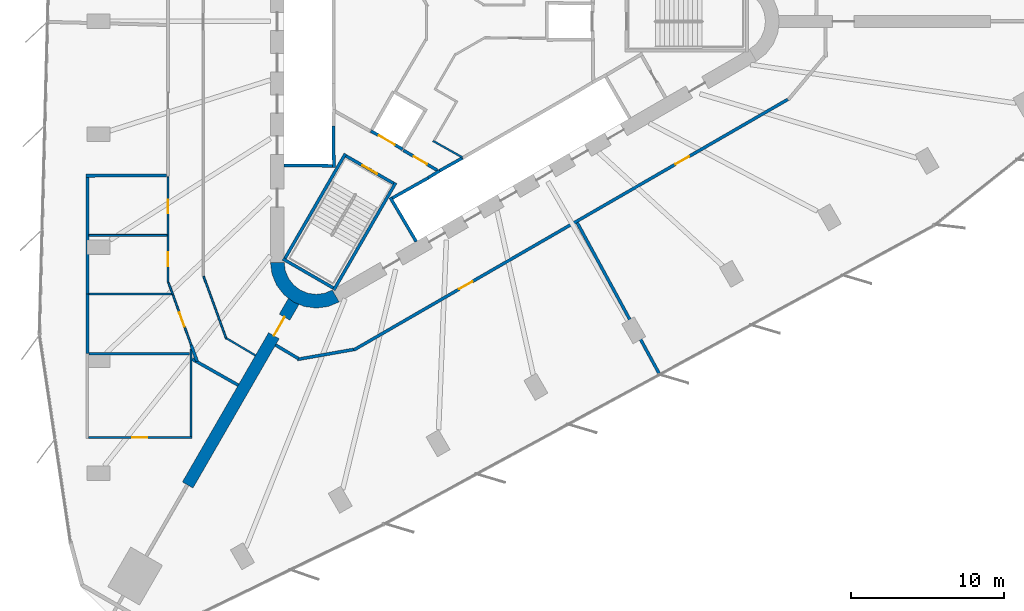
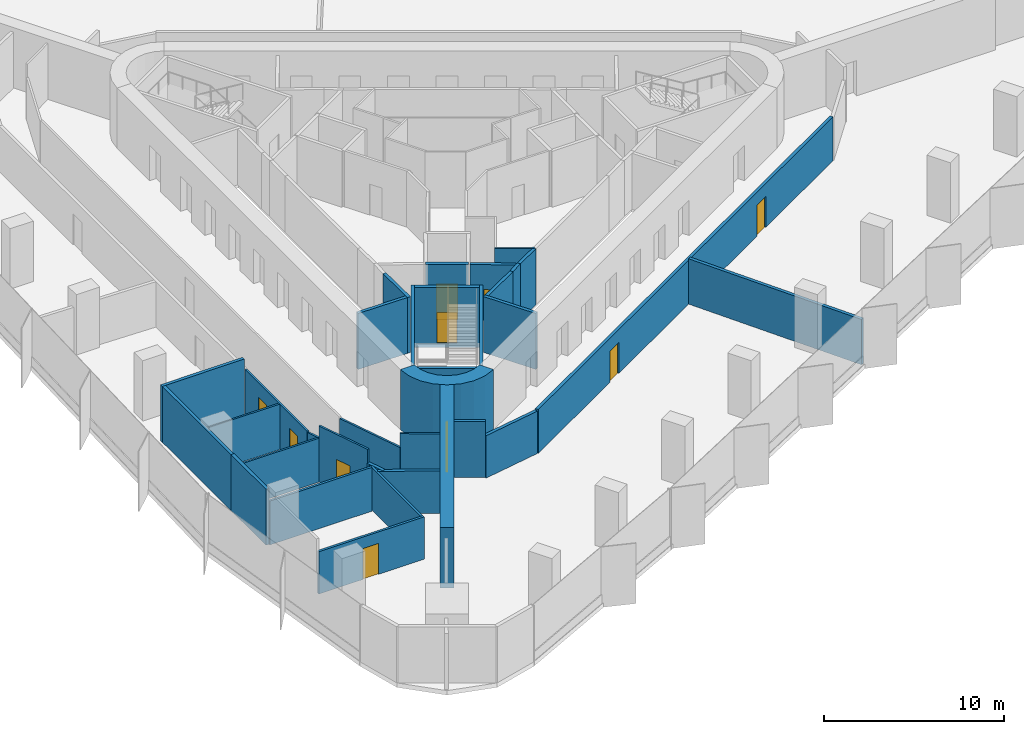
# One storey, part 8 of 13: 34 walls, 10 doors, 10 openings.
"""IFC4 building model written with IfcOpenShell, lengths in metres."""

from ifc_helpers import new_model, si_unit, direction, frame, frame_2d, origin, place, context, subcontext, project, spatial, polyline, rectangle, outline, extrude, material, layer, layer_set, type_object, element, fill, save


model = new_model("IFC4")

# Units and contexts
model_context = context("Model", 3, precision=1e-05, world=origin(), true_north=direction((0.0, 1.0)))
body_context = subcontext(model_context, "Body", "Model", "MODEL_VIEW")
ifc_project = project(units=[si_unit("LENGTHUNIT", "METRE"), si_unit("AREAUNIT", "SQUARE_METRE"), si_unit("VOLUMEUNIT", "CUBIC_METRE"), si_unit("PLANEANGLEUNIT", "RADIAN"), si_unit("MASSUNIT", "GRAM", prefix="KILO")], contexts=[model_context])

# Site, building, storey
site_placement = place(None, origin())
site = spatial("IfcSite", under=ifc_project, at=site_placement, CompositionType="ELEMENT")
building_placement = place(site_placement, origin())
building = spatial("IfcBuilding", under=site, at=building_placement, Name="Tanit Gate Tower", CompositionType="ELEMENT")
storey_placement = place(building_placement, frame((0.0, 0.0, 66.0)))
storey = spatial("IfcBuildingStorey", under=building, at=storey_placement, Name="L12", CompositionType="ELEMENT", Elevation=66.0)

# Wall, opening, door
ifc_material_1 = material(Name="Concrete C60/75", Category="concrete")
ifc_layer_1 = layer(ifc_material_1, 0.800048828125)
ifc_layer_set_1 = layer_set([ifc_layer_1], Name="BUTTRESS FIN 800 C60/75")
wall_type_1 = type_object("IfcWallType", Name="BUTTRESS FIN 800 C60/75", PredefinedType="SHEAR", material=ifc_layer_set_1)
wall_1_placement = place(storey_placement, frame((-10.574951171875, -18.31640625, 0.0), z_axis=(0.0, 0.0, 1.0), x_axis=(-0.500001010139, -0.866024820579, 0.0)))
wall_1 = element("IfcWall", 1, at=wall_1_placement, inside=storey, type_object=wall_type_1, Name="BUTTRESS FIN", PredefinedType="SHEAR", context=body_context, shape_type="SweptSolid", body=[
    extrude(rectangle(XDim=13.8837890625, YDim=0.800048828125, at=frame_2d((6.94189453125, 0.0))), origin(), (0.0, 0.0, 1.0), 4.10009765625),
])
opening_1_placement = place(wall_1_placement, frame((1.199951171875, 0.0, 0.0)))
opening_1 = element("IfcOpeningElement", 2, at=opening_1_placement, cuts=wall_1, Name="Opening P14-S01-F-SW-1", PredefinedType="OPENING", context=body_context, shape_type="SweptSolid", body=[
    extrude(rectangle(XDim=1.39990234375, YDim=2.39990234375, at=frame_2d((0.699951171875, 1.199951171875))), frame((0.0, 0.41015625, 0.0), z_axis=(0.0, -1.0, 0.0), x_axis=(1.0, 0.0, 0.0)), (0.0, 0.0, 1.0), 0.820068359375),
])
ifc_material_2 = material(Name="Timber door leaf", Category="wood")
door_type_1 = type_object("IfcDoorType", Name="INT-DOOR-FIN-PAIR-1400", OperationType="NOTDEFINED", PredefinedType="NOTDEFINED", material=ifc_material_2)
door_1_placement = place(opening_1_placement, origin())
door_1 = element("IfcDoor", 3, at=door_1_placement, inside=storey, type_object=door_type_1, Name="Door P14-S01-F-SW-1", OperationType="DOUBLE_DOOR_SINGLE_SWING", OverallHeight=2.39990234375, OverallWidth=1.39990234375, PredefinedType="NOTDEFINED", context=body_context, shape_type="SweptSolid", body=[
    extrude(rectangle(XDim=1.39990234375, YDim=2.39990234375, at=frame_2d((0.699951171875, 1.199951171875))), frame((0.0, 0.02490234375, 0.0), z_axis=(0.0, -1.0, 0.0), x_axis=(1.0, 0.0, 0.0)), (0.0, 0.0, 1.0), 0.050048828125),
])
fill(opening_1, door_1)

# Wall
ifc_material_3 = material(Name="Concrete C60/75", Category="concrete")
ifc_layer_2 = layer(ifc_material_3, 0.89990234375)
ifc_layer_set_2 = layer_set([ifc_layer_2], Name="CORE WALL 900 C60/75")
wall_type_2 = type_object("IfcWallType", Name="CORE WALL 900 C60/75", PredefinedType="SHEAR", material=ifc_layer_set_2)
wall_2_placement = place(storey_placement, origin())
element("IfcWall", 4, at=wall_2_placement, inside=storey, type_object=wall_type_2, Name="CORE WALL CORNER", PredefinedType="SHEAR", context=body_context, shape_type="SweptSolid", body=[
    extrude(outline(polyline([(-12.10009765625, -15.76171875), (-11.997802734375, -16.5380859375), (-11.697998046875, -17.26171875), (-11.22119140625, -17.883056640625), (-10.60009765625, -18.359619140625), (-9.87646484375, -18.659423828125), (-9.10009765625, -18.76171875), (-8.323486328125, -18.659423828125), (-7.60009765625, -18.359619140625), (-8.050048828125, -17.580322265625), (-8.556396484375, -17.7900390625), (-9.10009765625, -17.86181640625), (-9.6435546875, -17.7900390625), (-10.14990234375, -17.580322265625), (-10.5849609375, -17.24658203125), (-10.918701171875, -16.811767578125), (-11.12841796875, -16.30517578125), (-11.199951171875, -15.76171875), (-12.10009765625, -15.76171875)])), origin(), (0.0, 0.0, 1.0), 4.10009765625),
])

# Wall, opening, door
ifc_material_4 = material(Name="Fire-rated gypsum board partition")
ifc_layer_3 = layer(ifc_material_4, 0.199951171875)
ifc_layer_set_3 = layer_set([ifc_layer_3], Name="INT-WALL-COMPARTMENT")
wall_type_3 = type_object("IfcWallType", Name="INT-WALL-COMPARTMENT", PredefinedType="PARTITIONING", material=ifc_layer_set_3)
wall_3_placement = place(storey_placement, frame((-3.400634765625, -8.43017578125, 0.0), z_axis=(0.0, 0.0, 1.0), x_axis=(0.860598681535, -0.509283721849, 0.0)))
wall_3 = element("IfcWall", 5, at=wall_3_placement, inside=storey, type_object=wall_type_3, Name="Wall Compartment W064", PredefinedType="PARTITIONING", context=body_context, shape_type="SweptSolid", body=[
    extrude(rectangle(XDim=2.5810546875, YDim=0.199951171875, at=frame_2d((1.29052734375, 0.0))), origin(), (0.0, 0.0, 1.0), 3.800048828125),
])
opening_2_placement = place(wall_3_placement, frame((0.79052734375, 0.0, 0.0)))
opening_2 = element("IfcOpeningElement", 6, at=opening_2_placement, cuts=wall_3, Name="Opening F10-S01-08", PredefinedType="OPENING", context=body_context, shape_type="SweptSolid", body=[
    extrude(rectangle(XDim=1.0, YDim=2.10009765625, at=frame_2d((0.5, 1.050048828125))), frame((0.0, 0.10986328125, 0.0), z_axis=(0.0, -1.0, 0.0), x_axis=(1.0, 0.0, 0.0)), (0.0, 0.0, 1.0), 0.219970703125),
])
ifc_material_5 = material(Name="Fire-rated steel door leaf", Category="steel")
door_type_2 = type_object("IfcDoorType", Name="INT-DOOR-FIRE-1000", OperationType="NOTDEFINED", PredefinedType="USERDEFINED", material=ifc_material_5)
door_2_placement = place(opening_2_placement, origin())
door_2 = element("IfcDoor", 7, at=door_2_placement, inside=storey, type_object=door_type_2, Name="Door F10-S01-08", ObjectType="FIRE DOOR", OperationType="SINGLE_SWING_RIGHT", OverallHeight=2.10009765625, OverallWidth=1.0, PredefinedType="USERDEFINED", context=body_context, shape_type="SweptSolid", body=[
    extrude(rectangle(XDim=1.0, YDim=2.10009765625, at=frame_2d((0.5, 1.050048828125))), frame((0.0, 0.02490234375, 0.0), z_axis=(0.0, -1.0, 0.0), x_axis=(1.0, 0.0, 0.0)), (0.0, 0.0, 1.0), 0.050048828125),
])
fill(opening_2, door_2)

# Walls
wall_4_placement = place(storey_placement, frame((-17.22509765625, -22.09765625, 0.0), z_axis=(0.0, 0.0, 1.0), x_axis=(0.870318902943, -0.492488585838, 0.0)))
element("IfcWall", 8, at=wall_4_placement, inside=storey, type_object=wall_type_3, Name="Wall Compartment W092", PredefinedType="PARTITIONING", context=body_context, shape_type="SweptSolid", body=[
    extrude(rectangle(XDim=3.468505859375, YDim=0.199951171875, at=frame_2d((1.734375, 0.0))), origin(), (0.0, 0.0, 1.0), 2.8798828125),
])
wall_5_placement = place(storey_placement, frame((-17.28759765625, -21.177734375, 0.0), z_axis=(0.0, 0.0, 1.0), x_axis=(0.342070628624, -0.939674244104, 0.0)))
element("IfcWall", 9, at=wall_5_placement, inside=storey, type_object=wall_type_3, Name="Wall Compartment W093", PredefinedType="PARTITIONING", context=body_context, shape_type="SweptSolid", body=[
    extrude(rectangle(XDim=1.136962890625, YDim=0.199951171875, at=frame_2d((0.568359375, 0.0))), origin(), (0.0, 0.0, 1.0), 2.8798828125),
])

# Wall, openings, doors
wall_6_placement = place(storey_placement, frame((-6.64404296875, -21.5029296875, 0.0), z_axis=(0.0, 0.0, 1.0), x_axis=(0.866025615729, 0.499999632902, 0.0)))
wall_6 = element("IfcWall", 10, at=wall_6_placement, inside=storey, type_object=wall_type_3, Name="Wall Compartment W110", PredefinedType="PARTITIONING", context=body_context, shape_type="SweptSolid", body=[
    extrude(rectangle(XDim=32.810546875, YDim=0.199951171875, at=frame_2d((16.4052734375, 0.0))), origin(), (0.0, 0.0, 1.0), 2.97998046875),
])
opening_3_placement = place(wall_6_placement, frame((24.320068359375, 0.0, 0.0)))
opening_3 = element("IfcOpeningElement", 11, at=opening_3_placement, cuts=wall_6, Name="Opening F10-S01-24", PredefinedType="OPENING", context=body_context, shape_type="SweptSolid", body=[
    extrude(rectangle(XDim=1.0, YDim=2.10009765625, at=frame_2d((0.5, 1.050048828125))), frame((0.0, 0.10986328125, 0.0), z_axis=(0.0, -1.0, 0.0), x_axis=(1.0, 0.0, 0.0)), (0.0, 0.0, 1.0), 0.219970703125),
])
opening_4_placement = place(wall_6_placement, frame((7.96484375, 0.0, 0.0)))
opening_4 = element("IfcOpeningElement", 12, at=opening_4_placement, cuts=wall_6, Name="Opening F10-S01-25", PredefinedType="OPENING", context=body_context, shape_type="SweptSolid", body=[
    extrude(rectangle(XDim=1.0, YDim=2.10009765625, at=frame_2d((0.5, 1.050048828125))), frame((0.0, 0.10986328125, 0.0), z_axis=(0.0, -1.0, 0.0), x_axis=(1.0, 0.0, 0.0)), (0.0, 0.0, 1.0), 0.219970703125),
])
door_3_placement = place(opening_3_placement, origin())
door_3 = element("IfcDoor", 13, at=door_3_placement, inside=storey, type_object=door_type_2, Name="Door F10-S01-24", ObjectType="FIRE DOOR", OperationType="SINGLE_SWING_RIGHT", OverallHeight=2.10009765625, OverallWidth=1.0, PredefinedType="USERDEFINED", context=body_context, shape_type="SweptSolid", body=[
    extrude(rectangle(XDim=1.0, YDim=2.10009765625, at=frame_2d((0.5, 1.050048828125))), frame((0.0, 0.02490234375, 0.0), z_axis=(0.0, -1.0, 0.0), x_axis=(1.0, 0.0, 0.0)), (0.0, 0.0, 1.0), 0.050048828125),
])
fill(opening_3, door_3)
door_4_placement = place(opening_4_placement, origin())
door_4 = element("IfcDoor", 14, at=door_4_placement, inside=storey, type_object=door_type_2, Name="Door F10-S01-25", ObjectType="FIRE DOOR", OperationType="SINGLE_SWING_RIGHT", OverallHeight=2.10009765625, OverallWidth=1.0, PredefinedType="USERDEFINED", context=body_context, shape_type="SweptSolid", body=[
    extrude(rectangle(XDim=1.0, YDim=2.10009765625, at=frame_2d((0.5, 1.050048828125))), frame((0.0, 0.02490234375, 0.0), z_axis=(0.0, -1.0, 0.0), x_axis=(1.0, 0.0, 0.0)), (0.0, 0.0, 1.0), 0.050048828125),
])
fill(opening_4, door_4)

# Walls
wall_7_placement = place(storey_placement, frame((-10.33154296875, -22.118408203125, 0.0), z_axis=(0.0, 0.0, 1.0), x_axis=(0.984805281118, 0.173662195893, 0.0)))
element("IfcWall", 15, at=wall_7_placement, inside=storey, type_object=wall_type_3, Name="Wall Compartment W111", PredefinedType="PARTITIONING", context=body_context, shape_type="SweptSolid", body=[
    extrude(rectangle(XDim=3.732421875, YDim=0.199951171875, at=frame_2d((1.8662109375, 0.0))), origin(), (0.0, 0.0, 1.0), 2.8798828125),
])
wall_8_placement = place(storey_placement, frame((-11.764404296875, -21.176513671875, 0.0), z_axis=(0.0, 0.0, 1.0), x_axis=(0.85911197479, -0.511787665709, 0.0)))
element("IfcWall", 16, at=wall_8_placement, inside=storey, type_object=wall_type_3, Name="Wall Compartment W112", PredefinedType="PARTITIONING", context=body_context, shape_type="SweptSolid", body=[
    extrude(rectangle(XDim=1.751708984375, YDim=0.199951171875, at=frame_2d((0.8759765625, 0.0))), origin(), (0.0, 0.0, 1.0), 3.800048828125),
])
wall_9_placement = place(storey_placement, frame((-18.89990234375, -10.070556640625, 0.0), z_axis=(0.0, 0.0, 1.0), x_axis=(-0.999983827501, -0.005687243297, 0.0)))
element("IfcWall", 17, at=wall_9_placement, inside=storey, type_object=wall_type_3, Name="Wall Compartment W116", PredefinedType="PARTITIONING", context=body_context, shape_type="SweptSolid", body=[
    extrude(rectangle(XDim=5.280029296875, YDim=0.199951171875, at=frame_2d((2.64013671875, 0.0))), origin(), (0.0, 0.0, 1.0), 3.800048828125),
])
wall_10_placement = place(storey_placement, frame((-24.080078125, -21.733154296875, 0.0), z_axis=(0.0, 0.0, 1.0), x_axis=(0.0, 1.0, 0.0)))
element("IfcWall", 18, at=wall_10_placement, inside=storey, type_object=wall_type_3, Name="Wall Compartment W119", PredefinedType="PARTITIONING", context=body_context, shape_type="SweptSolid", body=[
    extrude(rectangle(XDim=3.896484375, YDim=0.199951171875, at=frame_2d((1.9482421875, 0.0))), origin(), (0.0, 0.0, 1.0), 3.800048828125),
])
wall_11_placement = place(storey_placement, frame((-24.080078125, -17.836669921875, 0.0), z_axis=(0.0, 0.0, 1.0), x_axis=(0.0, 1.0, 0.0)))
element("IfcWall", 19, at=wall_11_placement, inside=storey, type_object=wall_type_3, Name="Wall Compartment W118", PredefinedType="PARTITIONING", context=body_context, shape_type="SweptSolid", body=[
    extrude(rectangle(XDim=7.63671875, YDim=0.199951171875, at=frame_2d((3.818359375, 0.0))), origin(), (0.0, 0.0, 1.0), 3.800048828125),
])
wall_12_placement = place(storey_placement, frame((7.978759765625, -13.17578125, 0.0), z_axis=(0.0, 0.0, 1.0), x_axis=(0.477371038841, -0.878701821596, 0.0)))
element("IfcWall", 20, at=wall_12_placement, inside=storey, type_object=wall_type_3, Name="Wall Compartment W129", PredefinedType="PARTITIONING", context=body_context, shape_type="SweptSolid", body=[
    extrude(rectangle(XDim=11.288818359375, YDim=0.199951171875, at=frame_2d((5.64453125, 0.0))), origin(), (0.0, 0.0, 1.0), 3.080078125),
])
ifc_material_6 = material(Name="Gypsum board partition")
ifc_layer_4 = layer(ifc_material_6, 0.1201171875)
ifc_layer_set_4 = layer_set([ifc_layer_4], Name="INT-WALL-PARTITION")
wall_type_4 = type_object("IfcWallType", Name="INT-WALL-PARTITION", PredefinedType="PARTITIONING", material=ifc_layer_set_4)
wall_13_placement = place(storey_placement, frame((-1.464111328125, -7.81591796875, 0.0), z_axis=(0.0, 0.0, 1.0), x_axis=(0.871880202732, -0.489719217597, 0.0)))
element("IfcWall", 21, at=wall_13_placement, inside=storey, type_object=wall_type_4, Name="Wall Partition W068", PredefinedType="PARTITIONING", context=body_context, shape_type="SweptSolid", body=[
    extrude(rectangle(XDim=2.224365234375, YDim=0.1201171875, at=frame_2d((1.1123046875, 0.0))), origin(), (0.0, 0.0, 1.0), 3.800048828125),
])
wall_14_placement = place(storey_placement, frame((-16.4794921875, -16.67333984375, 0.0), z_axis=(0.0, 0.0, 1.0), x_axis=(0.342025144217, -0.939690800595, 0.0)))
element("IfcWall", 22, at=wall_14_placement, inside=storey, type_object=wall_type_4, Name="Wall Partition W089", PredefinedType="PARTITIONING", context=body_context, shape_type="SweptSolid", body=[
    extrude(rectangle(XDim=4.377685546875, YDim=0.1201171875, at=frame_2d((2.18896484375, 0.0))), origin(), (0.0, 0.0, 1.0), 2.8798828125),
])
wall_15_placement = place(storey_placement, frame((-14.9833984375, -20.732421875, 0.0), z_axis=(0.0, 0.0, 1.0), x_axis=(0.860268204019, -0.509841756973, 0.0)))
element("IfcWall", 23, at=wall_15_placement, inside=storey, type_object=wall_type_4, Name="Wall Partition W090", PredefinedType="PARTITIONING", context=body_context, shape_type="SweptSolid", body=[
    extrude(rectangle(XDim=2.2099609375, YDim=0.1201171875, at=frame_2d((1.10498046875, 0.0))), origin(), (0.0, 0.0, 1.0), 3.800048828125),
])

# Wall, openings, doors
wall_16_placement = place(storey_placement, frame((-18.800048828125, -10.169921875, 0.0), z_axis=(0.0, 0.0, 1.0), x_axis=(0.0, -1.0, 0.0)))
wall_16 = element("IfcWall", 24, at=wall_16_placement, inside=storey, type_object=wall_type_4, Name="Wall Partition W097", PredefinedType="PARTITIONING", context=body_context, shape_type="SweptSolid", body=[
    extrude(rectangle(XDim=6.91259765625, YDim=0.1201171875, at=frame_2d((3.456298828125, 0.0))), origin(), (0.0, 0.0, 1.0), 3.080078125),
])
opening_5_placement = place(wall_16_placement, frame((1.495849609375, 0.0, 0.0)))
opening_5 = element("IfcOpeningElement", 25, at=opening_5_placement, cuts=wall_16, Name="Opening D09-S01-16", PredefinedType="OPENING", context=body_context, shape_type="SweptSolid", body=[
    extrude(rectangle(XDim=0.89990234375, YDim=2.10009765625, at=frame_2d((0.449951171875, 1.050048828125))), frame((0.0, 0.070068359375, 0.0), z_axis=(0.0, -1.0, 0.0), x_axis=(1.0, 0.0, 0.0)), (0.0, 0.0, 1.0), 0.14013671875),
])
opening_6_placement = place(wall_16_placement, frame((4.9521484375, 0.0, 0.0)))
opening_6 = element("IfcOpeningElement", 26, at=opening_6_placement, cuts=wall_16, Name="Opening D09-S01-17", PredefinedType="OPENING", context=body_context, shape_type="SweptSolid", body=[
    extrude(rectangle(XDim=0.89990234375, YDim=2.10009765625, at=frame_2d((0.449951171875, 1.050048828125))), frame((0.0, 0.070068359375, 0.0), z_axis=(0.0, -1.0, 0.0), x_axis=(1.0, 0.0, 0.0)), (0.0, 0.0, 1.0), 0.14013671875),
])
ifc_material_7 = material(Name="Timber door leaf", Category="wood")
door_type_3 = type_object("IfcDoorType", Name="INT-DOOR-SINGLE-900", OperationType="NOTDEFINED", PredefinedType="NOTDEFINED", material=ifc_material_7)
door_5_placement = place(opening_5_placement, origin())
door_5 = element("IfcDoor", 27, at=door_5_placement, inside=storey, type_object=door_type_3, Name="Door D09-S01-16", OperationType="SINGLE_SWING_LEFT", OverallHeight=2.10009765625, OverallWidth=0.89990234375, PredefinedType="NOTDEFINED", context=body_context, shape_type="SweptSolid", body=[
    extrude(rectangle(XDim=0.89990234375, YDim=2.10009765625, at=frame_2d((0.449951171875, 1.050048828125))), frame((0.0, 0.02490234375, 0.0), z_axis=(0.0, -1.0, 0.0), x_axis=(1.0, 0.0, 0.0)), (0.0, 0.0, 1.0), 0.050048828125),
])
fill(opening_5, door_5)
door_6_placement = place(opening_6_placement, origin())
door_6 = element("IfcDoor", 28, at=door_6_placement, inside=storey, type_object=door_type_3, Name="Door D09-S01-17", OperationType="SINGLE_SWING_LEFT", OverallHeight=2.10009765625, OverallWidth=0.89990234375, PredefinedType="NOTDEFINED", context=body_context, shape_type="SweptSolid", body=[
    extrude(rectangle(XDim=0.89990234375, YDim=2.10009765625, at=frame_2d((0.449951171875, 1.050048828125))), frame((0.0, 0.02490234375, 0.0), z_axis=(0.0, -1.0, 0.0), x_axis=(1.0, 0.0, 0.0)), (0.0, 0.0, 1.0), 0.050048828125),
])
fill(opening_6, door_6)

# Wall
wall_17_placement = place(storey_placement, frame((-18.779541015625, -17.078857421875, 0.0), z_axis=(0.0, 0.0, 1.0), x_axis=(0.342127231308, -0.939653637037, 0.0)))
element("IfcWall", 29, at=wall_17_placement, inside=storey, type_object=wall_type_4, Name="Wall Partition W098", PredefinedType="PARTITIONING", context=body_context, shape_type="SweptSolid", body=[
    extrude(rectangle(XDim=0.81640625, YDim=0.1201171875, at=frame_2d((0.408203125, 0.0))), origin(), (0.0, 0.0, 1.0), 2.97998046875),
])

# Wall, opening, door
wall_18_placement = place(storey_placement, frame((-18.500244140625, -17.845947265625, 0.0), z_axis=(0.0, 0.0, 1.0), x_axis=(0.342013954414, -0.939694873342, 0.0)))
wall_18 = element("IfcWall", 30, at=wall_18_placement, inside=storey, type_object=wall_type_4, Name="Wall Partition W100", PredefinedType="PARTITIONING", context=body_context, shape_type="SweptSolid", body=[
    extrude(rectangle(XDim=3.545654296875, YDim=0.1201171875, at=frame_2d((1.77294921875, 0.0))), origin(), (0.0, 0.0, 1.0), 3.800048828125),
])
opening_7_placement = place(wall_18_placement, frame((1.272705078125, 0.0, 0.0)))
opening_7 = element("IfcOpeningElement", 31, at=opening_7_placement, cuts=wall_18, Name="Opening D10-S01-18", PredefinedType="OPENING", context=body_context, shape_type="SweptSolid", body=[
    extrude(rectangle(XDim=1.0, YDim=2.10009765625, at=frame_2d((0.5, 1.050048828125))), frame((0.0, 0.070068359375, 0.0), z_axis=(0.0, -1.0, 0.0), x_axis=(1.0, 0.0, 0.0)), (0.0, 0.0, 1.0), 0.14013671875),
])
ifc_material_8 = material(Name="Timber door leaf", Category="wood")
door_type_4 = type_object("IfcDoorType", Name="INT-DOOR-SINGLE-1000", OperationType="NOTDEFINED", PredefinedType="NOTDEFINED", material=ifc_material_8)
door_7_placement = place(opening_7_placement, origin())
door_7 = element("IfcDoor", 32, at=door_7_placement, inside=storey, type_object=door_type_4, Name="Door D10-S01-18", OperationType="SINGLE_SWING_RIGHT", OverallHeight=2.10009765625, OverallWidth=1.0, PredefinedType="NOTDEFINED", context=body_context, shape_type="SweptSolid", body=[
    extrude(rectangle(XDim=1.0, YDim=2.10009765625, at=frame_2d((0.5, 1.050048828125))), frame((0.0, 0.02490234375, 0.0), z_axis=(0.0, -1.0, 0.0), x_axis=(1.0, 0.0, 0.0)), (0.0, 0.0, 1.0), 0.050048828125),
])
fill(opening_7, door_7)

# Walls
wall_19_placement = place(storey_placement, frame((-23.97998046875, -14.001953125, 0.0), z_axis=(0.0, 0.0, 1.0), x_axis=(1.0, 0.0, 0.0)))
element("IfcWall", 33, at=wall_19_placement, inside=storey, type_object=wall_type_4, Name="Wall Partition W130", PredefinedType="PARTITIONING", context=body_context, shape_type="SweptSolid", body=[
    extrude(rectangle(XDim=5.119873046875, YDim=0.1201171875, at=frame_2d((2.56005859375, 0.0))), origin(), (0.0, 0.0, 1.0), 3.080078125),
])
wall_20_placement = place(storey_placement, frame((-18.5673828125, -17.836669921875, 0.0), z_axis=(0.0, 0.0, 1.0), x_axis=(-1.0, 0.0, 0.0)))
element("IfcWall", 34, at=wall_20_placement, inside=storey, type_object=wall_type_4, Name="Wall Partition W131", PredefinedType="PARTITIONING", context=body_context, shape_type="SweptSolid", body=[
    extrude(rectangle(XDim=5.41259765625, YDim=0.1201171875, at=frame_2d((2.706298828125, 0.0))), origin(), (0.0, 0.0, 1.0), 2.97998046875),
])

# Wall, opening, door
ifc_material_9 = material(Name="Fire-rated gypsum board partition")
ifc_layer_5 = layer(ifc_material_9, 0.14990234375)
ifc_layer_set_5 = layer_set([ifc_layer_5], Name="INT-WALL-RISER")
wall_type_5 = type_object("IfcWallType", Name="INT-WALL-RISER", PredefinedType="PLUMBINGWALL", material=ifc_layer_set_5)
wall_21_placement = place(storey_placement, frame((-24.0048828125, -27.22998046875, 0.0), z_axis=(0.0, 0.0, 1.0), x_axis=(1.0, 0.0, 0.0)))
wall_21 = element("IfcWall", 35, at=wall_21_placement, inside=storey, type_object=wall_type_5, Name="Wall Riser W122", PredefinedType="PLUMBINGWALL", context=body_context, shape_type="SweptSolid", body=[
    extrude(rectangle(XDim=6.77978515625, YDim=0.14990234375, at=frame_2d((3.389892578125, 0.0))), origin(), (0.0, 0.0, 1.0), 2.8798828125),
])
opening_8_placement = place(wall_21_placement, frame((2.8525390625, 0.0, 0.0)))
opening_8 = element("IfcOpeningElement", 36, at=opening_8_placement, cuts=wall_21, Name="Opening F10-S01-19", PredefinedType="OPENING", context=body_context, shape_type="SweptSolid", body=[
    extrude(rectangle(XDim=1.0, YDim=2.10009765625, at=frame_2d((0.5, 1.050048828125))), frame((0.0, 0.0849609375, 0.0), z_axis=(0.0, -1.0, 0.0), x_axis=(1.0, 0.0, 0.0)), (0.0, 0.0, 1.0), 0.169921875),
])
door_8_placement = place(opening_8_placement, origin())
door_8 = element("IfcDoor", 37, at=door_8_placement, inside=storey, type_object=door_type_2, Name="Door F10-S01-19", ObjectType="FIRE DOOR", OperationType="SINGLE_SWING_LEFT", OverallHeight=2.10009765625, OverallWidth=1.0, PredefinedType="USERDEFINED", context=body_context, shape_type="SweptSolid", body=[
    extrude(rectangle(XDim=1.0, YDim=2.10009765625, at=frame_2d((0.5, 1.050048828125))), frame((0.0, 0.02490234375, 0.0), z_axis=(0.0, -1.0, 0.0), x_axis=(1.0, 0.0, 0.0)), (0.0, 0.0, 1.0), 0.050048828125),
])
fill(opening_8, door_8)

# Walls
wall_22_placement = place(storey_placement, frame((-17.300048828125, -27.155029296875, 0.0), z_axis=(0.0, 0.0, 1.0), x_axis=(0.0, 1.0, 0.0)))
element("IfcWall", 38, at=wall_22_placement, inside=storey, type_object=wall_type_5, Name="Wall Riser W123", PredefinedType="PLUMBINGWALL", context=body_context, shape_type="SweptSolid", body=[
    extrude(rectangle(XDim=5.718994140625, YDim=0.14990234375, at=frame_2d((2.859375, 0.0))), origin(), (0.0, 0.0, 1.0), 2.8798828125),
])
wall_23_placement = place(storey_placement, frame((-17.39990234375, -21.74072265625, 0.0), z_axis=(0.0, 0.0, 1.0), x_axis=(-1.0, 0.0, 0.0)))
element("IfcWall", 39, at=wall_23_placement, inside=storey, type_object=wall_type_5, Name="Wall Riser W132", PredefinedType="PLUMBINGWALL", context=body_context, shape_type="SweptSolid", body=[
    extrude(rectangle(XDim=6.580078125, YDim=0.14990234375, at=frame_2d((3.2900390625, 0.0))), origin(), (0.0, 0.0, 1.0), 2.97998046875),
])
ifc_material_10 = material(Name="Gypsum shaft wall system")
ifc_layer_6 = layer(ifc_material_10, 0.199951171875)
ifc_layer_set_6 = layer_set([ifc_layer_6], Name="INT-WALL-SHAFT")
wall_type_6 = type_object("IfcWallType", Name="INT-WALL-SHAFT", PredefinedType="PLUMBINGWALL", material=ifc_layer_set_6)
wall_24_placement = place(storey_placement, frame((-7.97900390625, -6.85009765625, 0.0), z_axis=(0.0, 0.0, 1.0), x_axis=(0.011121475088, -0.999938154483, 0.0)))
element("IfcWall", 40, at=wall_24_placement, inside=storey, type_object=wall_type_6, Name="Wall Shaft W011", PredefinedType="PLUMBINGWALL", context=body_context, shape_type="SweptSolid", body=[
    extrude(rectangle(XDim=2.7001953125, YDim=0.199951171875, at=frame_2d((1.35009765625, 0.0))), origin(), (0.0, 0.0, 1.0), 3.800048828125),
])
wall_25_placement = place(storey_placement, frame((-8.050048828125, -9.448974609375, 0.0), z_axis=(0.0, 0.0, 1.0), x_axis=(-0.999957467379, 0.009222983926, 0.0)))
element("IfcWall", 41, at=wall_25_placement, inside=storey, type_object=wall_type_6, Name="Wall Shaft W012", PredefinedType="PLUMBINGWALL", context=body_context, shape_type="SweptSolid", body=[
    extrude(rectangle(XDim=3.150146484375, YDim=0.199951171875, at=frame_2d((1.5751953125, 0.0))), origin(), (0.0, 0.0, 1.0), 3.800048828125),
])
wall_26_placement = place(storey_placement, frame((-2.557861328125, -14.409423828125, 0.0), z_axis=(0.0, 0.0, 1.0), x_axis=(-0.507997497166, 0.861358544901, 0.0)))
element("IfcWall", 42, at=wall_26_placement, inside=storey, type_object=wall_type_6, Name="Wall Shaft W027", PredefinedType="PLUMBINGWALL", context=body_context, shape_type="SweptSolid", body=[
    extrude(rectangle(XDim=3.350341796875, YDim=0.199951171875, at=frame_2d((1.67529296875, 0.0))), origin(), (0.0, 0.0, 1.0), 3.800048828125),
])
wall_27_placement = place(storey_placement, frame((-1.7685546875, -10.23681640625, 0.0), z_axis=(0.0, 0.0, 1.0), x_axis=(-0.871534483978, -0.490334215854, 0.0)))
element("IfcWall", 43, at=wall_27_placement, inside=storey, type_object=wall_type_6, Name="Wall Shaft W028", PredefinedType="PLUMBINGWALL", context=body_context, shape_type="SweptSolid", body=[
    extrude(rectangle(XDim=2.7001953125, YDim=0.199951171875, at=frame_2d((1.35009765625, 0.0))), origin(), (0.0, 0.0, 1.0), 3.800048828125),
])
wall_28_placement = place(storey_placement, frame((-1.02392578125, -9.77099609375, 0.0), z_axis=(0.0, 0.0, 1.0), x_axis=(-0.850348075135, -0.526220629693, 0.0)))
element("IfcWall", 44, at=wall_28_placement, inside=storey, type_object=wall_type_6, Name="Wall Shaft W029", PredefinedType="PLUMBINGWALL", context=body_context, shape_type="SweptSolid", body=[
    extrude(rectangle(XDim=0.878173828125, YDim=0.199951171875, at=frame_2d((0.43896484375, 0.0))), origin(), (0.0, 0.0, 1.0), 3.800048828125),
])
wall_29_placement = place(storey_placement, frame((-1.13037109375, -9.83154296875, 0.0), z_axis=(0.0, 0.0, 1.0), x_axis=(0.871988740738, 0.489525929882, 0.0)))
element("IfcWall", 45, at=wall_29_placement, inside=storey, type_object=wall_type_6, Name="Wall Shaft W030", PredefinedType="PLUMBINGWALL", context=body_context, shape_type="SweptSolid", body=[
    extrude(rectangle(XDim=1.8447265625, YDim=0.199951171875, at=frame_2d((0.92236328125, 0.0))), origin(), (0.0, 0.0, 1.0), 3.800048828125),
])

# Wall, opening, door
wall_30_placement = place(storey_placement, frame((-3.44580078125, -8.3681640625, 0.0), z_axis=(0.0, 0.0, 1.0), x_axis=(-0.866024647952, 0.500001309137, 0.0)))
wall_30 = element("IfcWall", 46, at=wall_30_placement, inside=storey, type_object=wall_type_6, Name="Wall Shaft W053", PredefinedType="PLUMBINGWALL", context=body_context, shape_type="SweptSolid", body=[
    extrude(rectangle(XDim=2.39990234375, YDim=0.199951171875, at=frame_2d((1.199951171875, 0.0))), origin(), (0.0, 0.0, 1.0), 3.800048828125),
])
opening_9_placement = place(wall_30_placement, frame((0.60009765625, 0.0, 0.0)))
opening_9 = element("IfcOpeningElement", 47, at=opening_9_placement, cuts=wall_30, Name="Opening LDFL3-L12", PredefinedType="OPENING", context=body_context, shape_type="SweptSolid", body=[
    extrude(rectangle(XDim=1.199951171875, YDim=2.39990234375, at=frame_2d((0.60009765625, 1.199951171875))), frame((0.0, 0.10986328125, 0.0), z_axis=(0.0, -1.0, 0.0), x_axis=(1.0, 0.0, 0.0)), (0.0, 0.0, 1.0), 0.219970703125),
])
ifc_material_11 = material(Name="Stainless steel sliding door leaf", Category="steel")
door_type_5 = type_object("IfcDoorType", Name="INT-DOOR-LANDING-1200", OperationType="NOTDEFINED", PredefinedType="USERDEFINED", material=ifc_material_11)
door_9_placement = place(opening_9_placement, origin())
door_9 = element("IfcDoor", 48, at=door_9_placement, inside=storey, type_object=door_type_5, Name="Door LDFL3-L12", ObjectType="LANDING DOOR", OperationType="SLIDING_TO_LEFT", OverallHeight=2.39990234375, OverallWidth=1.199951171875, PredefinedType="USERDEFINED", context=body_context, shape_type="SweptSolid", body=[
    extrude(rectangle(XDim=1.199951171875, YDim=2.39990234375, at=frame_2d((0.60009765625, 1.199951171875))), frame((0.0, 0.02490234375, 0.0), z_axis=(0.0, -1.0, 0.0), x_axis=(1.0, 0.0, 0.0)), (0.0, 0.0, 1.0), 0.050048828125),
])
fill(opening_9, door_9)

# Walls
ifc_material_12 = material(Name="Concrete C40/50", Category="concrete")
ifc_layer_7 = layer(ifc_material_12, 0.199951171875)
ifc_layer_set_7 = layer_set([ifc_layer_7], Name="INT-WALL-STAIR")
wall_type_7 = type_object("IfcWallType", Name="INT-WALL-STAIR", PredefinedType="SHEAR", material=ifc_layer_set_7)
wall_31_placement = place(storey_placement, frame((-3.904541015625, -10.56298828125, -0.300048828125), z_axis=(0.0, 0.0, 1.0), x_axis=(-0.500012932018, -0.866017937352, 0.0)))
element("IfcWall", 49, at=wall_31_placement, inside=storey, type_object=wall_type_7, Name="Wall Stair W049", PredefinedType="SHEAR", context=body_context, shape_type="SweptSolid", body=[
    extrude(rectangle(XDim=8.099853515625, YDim=0.199951171875, at=frame_2d((4.0498046875, 0.0))), origin(), (0.0, 0.0, 1.0), 4.10009765625),
])
wall_32_placement = place(storey_placement, frame((-11.281982421875, -15.541015625, -0.300048828125), z_axis=(0.0, 0.0, 1.0), x_axis=(0.866000483506, -0.500043160704, 0.0)))
element("IfcWall", 50, at=wall_32_placement, inside=storey, type_object=wall_type_7, Name="Wall Stair W050", PredefinedType="SHEAR", context=body_context, shape_type="SweptSolid", body=[
    extrude(rectangle(XDim=3.800048828125, YDim=0.199951171875, at=frame_2d((1.89990234375, 0.0))), origin(), (0.0, 0.0, 1.0), 4.10009765625),
])
wall_33_placement = place(storey_placement, frame((-7.195556640625, -8.662841796875, -0.300048828125), z_axis=(0.0, 0.0, 1.0), x_axis=(-0.499997992926, -0.866026562566, 0.0)))
element("IfcWall", 51, at=wall_33_placement, inside=storey, type_object=wall_type_7, Name="Wall Stair W051", PredefinedType="SHEAR", context=body_context, shape_type="SweptSolid", body=[
    extrude(rectangle(XDim=7.89990234375, YDim=0.199951171875, at=frame_2d((3.949951171875, 0.0))), origin(), (0.0, 0.0, 1.0), 4.10009765625),
])

# Wall, opening, door
wall_34_placement = place(storey_placement, frame((-4.041259765625, -10.599365234375, -0.300048828125), z_axis=(0.0, 0.0, 1.0), x_axis=(-0.866047807691, 0.499961193289, 0.0)))
wall_34 = element("IfcWall", 52, at=wall_34_placement, inside=storey, type_object=wall_type_7, Name="Wall Stair W052", PredefinedType="SHEAR", context=body_context, shape_type="SweptSolid", body=[
    extrude(rectangle(XDim=3.599853515625, YDim=0.199951171875, at=frame_2d((1.7998046875, 0.0))), origin(), (0.0, 0.0, 1.0), 4.10009765625),
])
opening_10_placement = place(wall_34_placement, frame((1.25, 0.0, 0.300048828125)))
opening_10 = element("IfcOpeningElement", 53, at=opening_10_placement, cuts=wall_34, Name="Opening S11-S01-07", PredefinedType="OPENING", context=body_context, shape_type="SweptSolid", body=[
    extrude(rectangle(XDim=1.10009765625, YDim=2.10009765625, at=frame_2d((0.550048828125, 1.050048828125))), frame((0.0, 0.10986328125, 0.0), z_axis=(0.0, -1.0, 0.0), x_axis=(1.0, 0.0, 0.0)), (0.0, 0.0, 1.0), 0.219970703125),
])
ifc_material_13 = material(Name="Timber door leaf", Category="wood")
door_type_6 = type_object("IfcDoorType", Name="INT-DOOR-STAIR-1100", OperationType="NOTDEFINED", PredefinedType="USERDEFINED", material=ifc_material_13)
door_10_placement = place(opening_10_placement, origin())
door_10 = element("IfcDoor", 54, at=door_10_placement, inside=storey, type_object=door_type_6, Name="Door S11-S01-07", ObjectType="FIRE DOOR", OperationType="SINGLE_SWING_LEFT", OverallHeight=2.10009765625, OverallWidth=1.10009765625, PredefinedType="USERDEFINED", context=body_context, shape_type="SweptSolid", body=[
    extrude(rectangle(XDim=1.10009765625, YDim=2.10009765625, at=frame_2d((0.550048828125, 1.050048828125))), frame((0.0, 0.02490234375, 0.0), z_axis=(0.0, -1.0, 0.0), x_axis=(1.0, 0.0, 0.0)), (0.0, 0.0, 1.0), 0.050048828125),
])
fill(opening_10, door_10)

save(model, "model.ifc")
